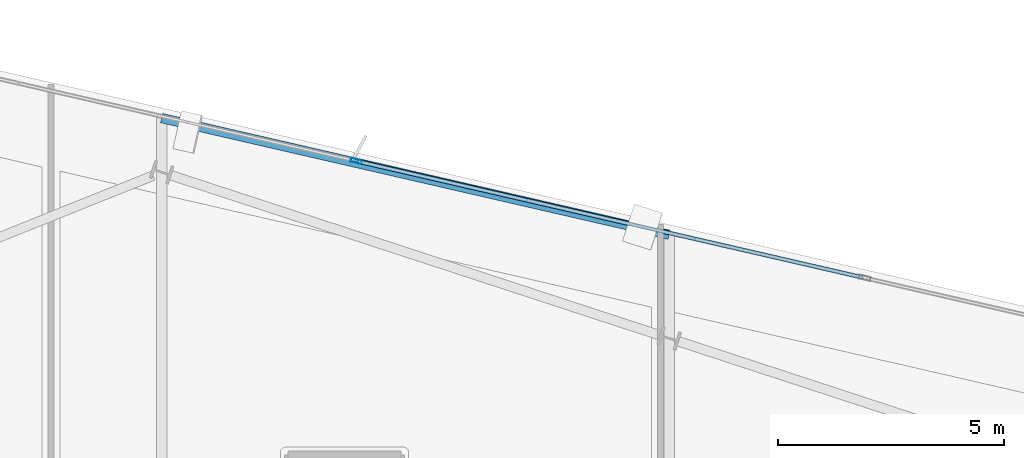
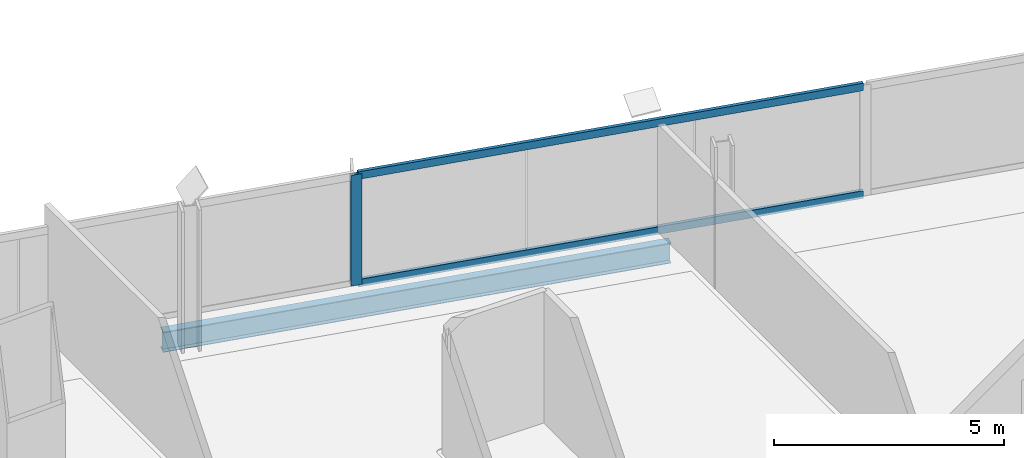
# One storey, part 16 of 28: 3 members, 1 beam, 1 element without a shape of its own.
"""IFC4 building model written with IfcOpenShell, lengths in metres."""

from ifc_helpers import new_model, si_unit, direction, frame, origin, origin_2d, place, context, subcontext, project, spatial, hollow_rectangle, i_section, extrude, material, material_profile, profile_set, type_object, element, aggregate, save


model = new_model("IFC4")

# Units and contexts
model_context = context("Model", 3, precision=1e-05, world=origin(), true_north=direction((0.0, 1.0)))
body_context = subcontext(model_context, "Body", "Model", "MODEL_VIEW")
ifc_project = project(units=[si_unit("LENGTHUNIT", "METRE"), si_unit("AREAUNIT", "SQUARE_METRE"), si_unit("VOLUMEUNIT", "CUBIC_METRE"), si_unit("PLANEANGLEUNIT", "RADIAN"), si_unit("MASSUNIT", "GRAM", prefix="KILO")], contexts=[model_context])

# Site, building, storey
site_placement = place(None, origin())
site = spatial("IfcSite", under=ifc_project, at=site_placement, CompositionType="ELEMENT")
building_placement = place(site_placement, origin())
building = spatial("IfcBuilding", under=site, at=building_placement, Name="Haldenkirk Collegiate Tower", CompositionType="ELEMENT")
storey_placement = place(building_placement, frame((0.0, 0.0, 286.199951171875)))
storey = spatial("IfcBuildingStorey", under=building, at=storey_placement, Name="L72", CompositionType="ELEMENT", Elevation=286.199951171875)

# Beam
ifc_material_1 = material(Name="Steel ASTM A992 Grade 50", Category="steel")
ifc_material_profile_1 = material_profile(ifc_material_1, i_section(OverallWidth=0.2099609375, OverallDepth=0.537109375, WebThickness=0.010986328125, FlangeThickness=0.017333984375, at=origin_2d()), Name="W21X68")
ifc_profile_set_1 = profile_set([ifc_material_profile_1], Name="Steel ASTM A992 Grade 50")
beam_type = type_object("IfcBeamType", Name="BM-SPANDREL-W21X68", PredefinedType="SPANDREL", material=ifc_profile_set_1)
beam_placement = place(storey_placement, frame((43.18994140625, 47.7724609375, -0.538330078125), z_axis=(-0.974566421441, 0.224098840247, 0.0), x_axis=(-0.224098840247, -0.974566421441, 0.0)))
element("IfcBeam", 1, at=beam_placement, inside=storey, type_object=beam_type, Name="L72 outer facade edge beam 2", PredefinedType="SPANDREL", context=body_context, shape_type="SweptSolid", body=[
    extrude(i_section(OverallWidth=0.2099609375, OverallDepth=0.537109375, WebThickness=0.010986328125, FlangeThickness=0.017333984375, at=origin_2d()), origin(), (0.0, 0.0, 1.0), 11.533935546875),
])

# Curtain wall, members
ifc_material_2 = material(Name="Anodised architectural bronze aluminium", Category="aluminium")
curtain_wall_type = type_object("IfcCurtainWallType", Name="CW-SYS1B-CONVEX-HI", PredefinedType="USERDEFINED", material=ifc_material_2)
curtain_wall_placement = place(storey_placement, origin())
curtain_wall = element("IfcCurtainWall", 2, at=curtain_wall_placement, inside=storey, type_object=curtain_wall_type, Name="L72 Upper tower high-wind convex bronze unitised curtain wall", ObjectType="UNITISED CURTAIN WALL", PredefinedType="USERDEFINED")
ifc_material_profile_2 = material_profile(ifc_material_2, hollow_rectangle(XDim=0.0849609375, YDim=0.25, WallThickness=0.0048828125, at=origin_2d()), Name="CW-MUL-1B")
ifc_profile_set_2 = profile_set([ifc_material_profile_2], Name="Anodised architectural bronze aluminium")
member_type_1 = type_object("IfcMemberType", Name="CW-MUL-1B", PredefinedType="MULLION", material=ifc_profile_set_2)
member_1_placement = place(storey_placement, frame((36.260498046875, 49.406982421875, 0.0), z_axis=(0.0, 0.0, 1.0), x_axis=(0.22410077316, 0.974565976971, 0.0)))
member_1 = element("IfcMember", 3, at=member_1_placement, type_object=member_type_1, Name="CW-1B mullion 2", PredefinedType="MULLION", context=body_context, shape_type="SweptSolid", body=[
    extrude(hollow_rectangle(XDim=0.0849609375, YDim=0.25, WallThickness=0.0048828125, at=origin_2d()), origin(), (0.0, 0.0, 1.0), 2.93798828125),
])
ifc_material_profile_3 = material_profile(ifc_material_2, hollow_rectangle(XDim=0.0849609375, YDim=0.199951171875, WallThickness=0.0048828125, at=origin_2d()), Name="CW-TRN-1B")
ifc_profile_set_3 = profile_set([ifc_material_profile_3], Name="Anodised architectural bronze aluminium")
member_type_2 = type_object("IfcMemberType", Name="CW-TRN-1B", PredefinedType="USERDEFINED", material=ifc_profile_set_3)
member_2_placement = place(storey_placement, frame((36.302001953125, 49.3974609375, 0.04248046875), z_axis=(0.974563413462, -0.224111921015, 0.0), x_axis=(0.224111921015, 0.974563413462, 0.0)))
member_2 = element("IfcMember", 4, at=member_2_placement, type_object=member_type_2, Name="CW-1B transom 2.1", ObjectType="TRANSOM", PredefinedType="USERDEFINED", context=body_context, shape_type="SweptSolid", body=[
    extrude(hollow_rectangle(XDim=0.0849609375, YDim=0.199951171875, WallThickness=0.0048828125, at=origin_2d()), origin(), (0.0, 0.0, 1.0), 11.47314453125),
])
member_3_placement = place(storey_placement, frame((36.302001953125, 49.3974609375, 2.8955078125), z_axis=(0.974563413462, -0.224111921015, 0.0), x_axis=(0.224111921015, 0.974563413462, 0.0)))
member_3 = element("IfcMember", 5, at=member_3_placement, type_object=member_type_2, Name="CW-1B transom 2.2", ObjectType="TRANSOM", PredefinedType="USERDEFINED", context=body_context, shape_type="SweptSolid", body=[
    extrude(hollow_rectangle(XDim=0.0849609375, YDim=0.199951171875, WallThickness=0.0048828125, at=origin_2d()), origin(), (0.0, 0.0, 1.0), 11.47314453125),
])
aggregate(curtain_wall, [member_1, member_2, member_3])

save(model, "model.ifc")
